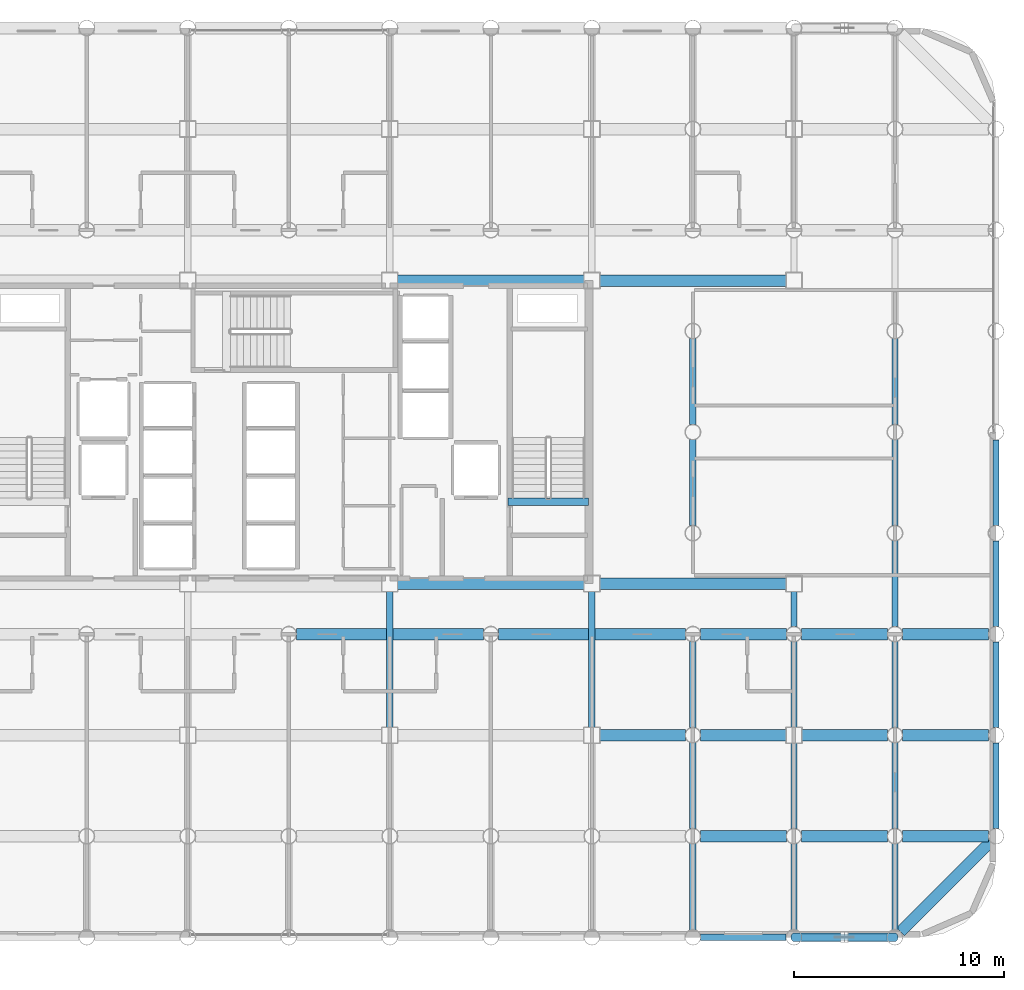
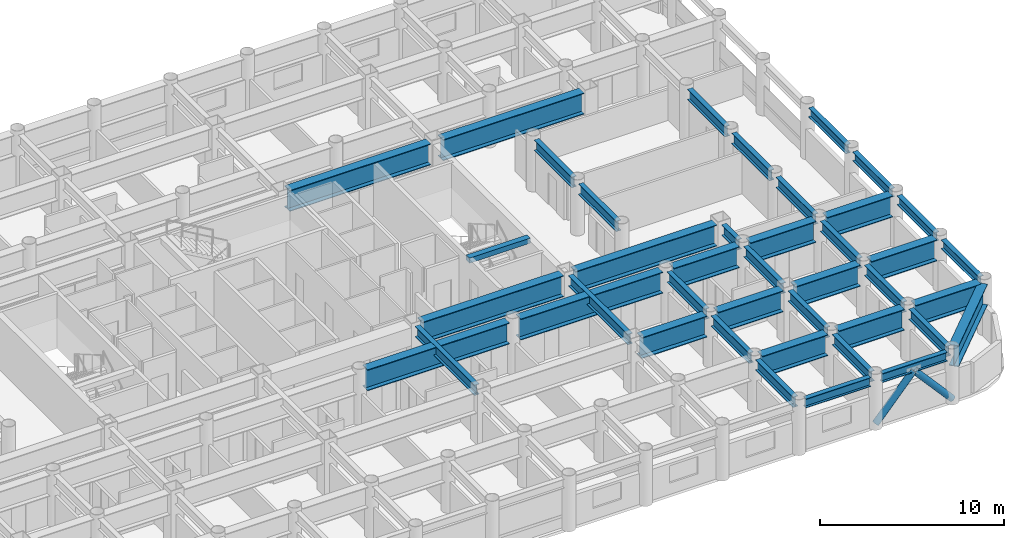
# One storey, part 7 of 21: 41 beams, 2 members.
"""IFC4 building model written with IfcOpenShell, lengths in metres."""

from ifc_helpers import new_model, si_unit, direction, frame, origin, origin_2d, place, context, subcontext, project, spatial, rectangle, hollow_circle, i_section, extrude, material, material_profile, profile_set, type_object, element, save


model = new_model("IFC4")

# Units and contexts
model_context = context("Model", 3, precision=1e-05, world=origin(), true_north=direction((0.0, 1.0)))
body_context = subcontext(model_context, "Body", "Model", "MODEL_VIEW")
ifc_project = project(units=[si_unit("LENGTHUNIT", "METRE"), si_unit("AREAUNIT", "SQUARE_METRE"), si_unit("VOLUMEUNIT", "CUBIC_METRE"), si_unit("PLANEANGLEUNIT", "RADIAN"), si_unit("MASSUNIT", "GRAM", prefix="KILO")], contexts=[model_context])

# Site, building, storey
site_placement = place(None, origin())
site = spatial("IfcSite", under=ifc_project, at=site_placement, CompositionType="ELEMENT")
building_placement = place(site_placement, origin())
building = spatial("IfcBuilding", under=site, at=building_placement, Name="Kallvorn Hotel Tower", CompositionType="ELEMENT")
storey_placement = place(building_placement, frame((0.0, 0.0, 85.5)))
storey = spatial("IfcBuildingStorey", under=building, at=storey_placement, Name="L20", CompositionType="ELEMENT", Elevation=85.5)

# Beams
ifc_material_1 = material(Name="Structural steel S355JR", Category="steel")
ifc_material_profile_1 = material_profile(ifc_material_1, i_section(OverallWidth=0.300048828125, OverallDepth=0.60009765625, WebThickness=0.015380859375, FlangeThickness=0.030029296875, at=origin_2d()), Name="HE 600 B")
ifc_profile_set_1 = profile_set([ifc_material_profile_1], Name="Structural steel S355JR")
beam_type_1 = type_object("IfcBeamType", Name="BM_HE600B", PredefinedType="SPANDREL", material=ifc_profile_set_1)
for number, where, z_axis, x_axis, name in (
    (1, (19.571044921875, -24.0, 3.14990234375), (1.0, 0.0, 0.0), (0.0, 1.0, 0.0), "L21 Perimeter Spandrel 160"),
    (2, (24.37109375, -24.0, 3.14990234375), (1.0, 0.0, 0.0), (0.0, 1.0, 0.0), "L21 Perimeter Spandrel 161"),
):
    element("IfcBeam", number, at=place(storey_placement, frame(where, z_axis=z_axis, x_axis=x_axis)), inside=storey, type_object=beam_type_1, Name=name, PredefinedType="SPANDREL", context=body_context, shape_type="SweptSolid", body=[
        extrude(i_section(OverallWidth=0.300048828125, OverallDepth=0.60009765625, WebThickness=0.015380859375, FlangeThickness=0.030029296875, at=origin_2d()), origin(), (0.0, 0.0, 1.0), 4.057861328125),
    ])
for number, where, z_axis, x_axis, name in (
    (3, (33.60009765625, -18.8291015625, 3.14990234375), (0.0, 1.0, 0.0), (-1.0, 0.0, 0.0), "L21 Perimeter Spandrel 182"),
    (4, (33.60009765625, -14.029052734375, 3.14990234375), (0.0, 1.0, 0.0), (-1.0, 0.0, 0.0), "L21 Perimeter Spandrel 183"),
    (5, (33.60009765625, -9.22900390625, 3.14990234375), (0.0, 1.0, 0.0), (-1.0, 0.0, 0.0), "L21 Perimeter Spandrel 184"),
):
    element("IfcBeam", number, at=place(storey_placement, frame(where, z_axis=z_axis, x_axis=x_axis)), inside=storey, type_object=beam_type_1, Name=name, PredefinedType="SPANDREL", context=body_context, shape_type="SweptSolid", body=[
        extrude(i_section(OverallWidth=0.300048828125, OverallDepth=0.60009765625, WebThickness=0.015380859375, FlangeThickness=0.030029296875, at=origin_2d()), origin(), (0.0, 0.0, 1.0), 4.05810546875),
    ])
beam_1_placement = place(storey_placement, frame((33.60009765625, -4.428955078125, 3.14990234375), z_axis=(0.0, 1.0, 0.0), x_axis=(-1.0, 0.0, 0.0)))
element("IfcBeam", 6, at=beam_1_placement, inside=storey, type_object=beam_type_1, Name="L21 Perimeter Spandrel 185", PredefinedType="SPANDREL", context=body_context, shape_type="SweptSolid", body=[
    extrude(i_section(OverallWidth=0.300048828125, OverallDepth=0.60009765625, WebThickness=0.015380859375, FlangeThickness=0.030029296875, at=origin_2d()), origin(), (0.0, 0.0, 1.0), 4.057861328125),
])
ifc_material_2 = material(Name="Structural steel S355JR", Category="steel")
ifc_material_profile_2 = material_profile(ifc_material_2, i_section(OverallWidth=0.300048828125, OverallDepth=0.699951171875, WebThickness=0.01708984375, FlangeThickness=0.031982421875, at=origin_2d()), Name="HE 700 B")
ifc_profile_set_2 = profile_set([ifc_material_profile_2], Name="Structural steel S355JR")
beam_type_2 = type_object("IfcBeamType", Name="BM_HE700B", PredefinedType="BEAM", material=ifc_profile_set_2)
for number, where, z_axis, x_axis, name in (
    (7, (4.800048828125, -14.02490234375, 3.10009765625), (0.0, 1.0, 0.0), (-1.0, 0.0, 0.0), "L21 Primary Y-Girder 115"),
    (8, (14.39990234375, -14.02490234375, 3.10009765625), (0.0, 1.0, 0.0), (-1.0, 0.0, 0.0), "L21 Primary Y-Girder 123"),
):
    element("IfcBeam", number, at=place(storey_placement, frame(where, z_axis=z_axis, x_axis=x_axis)), inside=storey, type_object=beam_type_2, Name=name, PredefinedType="BEAM", context=body_context, shape_type="SweptSolid", body=[
        extrude(i_section(OverallWidth=0.300048828125, OverallDepth=0.699951171875, WebThickness=0.01708984375, FlangeThickness=0.031982421875, at=origin_2d()), origin(), (0.0, 0.0, 1.0), 6.449951171875),
    ])
beam_2_placement = place(storey_placement, frame((19.199951171875, -23.64404296875, 3.10009765625), z_axis=(0.0, 1.0, 0.0), x_axis=(-1.0, 0.0, 0.0)))
element("IfcBeam", 9, at=beam_2_placement, inside=storey, type_object=beam_type_2, Name="L21 Primary Y-Girder 126", PredefinedType="BEAM", context=body_context, shape_type="SweptSolid", body=[
    extrude(i_section(OverallWidth=0.300048828125, OverallDepth=0.699951171875, WebThickness=0.01708984375, FlangeThickness=0.031982421875, at=origin_2d()), origin(), (0.0, 0.0, 1.0), 4.088134765625),
])
for number, where, z_axis, x_axis, name in (
    (10, (19.199951171875, -18.843994140625, 3.10009765625), (0.0, 1.0, 0.0), (-1.0, 0.0, 0.0), "L21 Primary Y-Girder 127"),
    (11, (19.199951171875, -14.0439453125, 3.10009765625), (0.0, 1.0, 0.0), (-1.0, 0.0, 0.0), "L21 Primary Y-Girder 128"),
):
    element("IfcBeam", number, at=place(storey_placement, frame(where, z_axis=z_axis, x_axis=x_axis)), inside=storey, type_object=beam_type_2, Name=name, PredefinedType="BEAM", context=body_context, shape_type="SweptSolid", body=[
        extrude(i_section(OverallWidth=0.300048828125, OverallDepth=0.699951171875, WebThickness=0.01708984375, FlangeThickness=0.031982421875, at=origin_2d()), origin(), (0.0, 0.0, 1.0), 4.087890625),
    ])
for number, where, z_axis, x_axis, name in (
    (12, (19.199951171875, -4.444091796875, 3.10009765625), (0.0, 1.0, 0.0), (-1.0, 0.0, 0.0), "L21 Primary Y-Girder 130"),
    (13, (19.199951171875, 0.35595703125, 3.10009765625), (0.0, 1.0, 0.0), (-1.0, 0.0, 0.0), "L21 Primary Y-Girder 131"),
    (14, (24.0, -23.64404296875, 3.10009765625), (0.0, 1.0, 0.0), (-1.0, 0.0, 0.0), "L21 Primary Y-Girder 135"),
):
    element("IfcBeam", number, at=place(storey_placement, frame(where, z_axis=z_axis, x_axis=x_axis)), inside=storey, type_object=beam_type_2, Name=name, PredefinedType="BEAM", context=body_context, shape_type="SweptSolid", body=[
        extrude(i_section(OverallWidth=0.300048828125, OverallDepth=0.699951171875, WebThickness=0.01708984375, FlangeThickness=0.031982421875, at=origin_2d()), origin(), (0.0, 0.0, 1.0), 4.088134765625),
    ])
beam_3_placement = place(storey_placement, frame((24.0, -18.843994140625, 3.10009765625), z_axis=(0.0, 1.0, 0.0), x_axis=(-1.0, 0.0, 0.0)))
element("IfcBeam", 15, at=beam_3_placement, inside=storey, type_object=beam_type_2, Name="L21 Primary Y-Girder 136", PredefinedType="BEAM", context=body_context, shape_type="SweptSolid", body=[
    extrude(i_section(OverallWidth=0.300048828125, OverallDepth=0.699951171875, WebThickness=0.01708984375, FlangeThickness=0.031982421875, at=origin_2d()), origin(), (0.0, 0.0, 1.0), 4.069091796875),
])
beam_4_placement = place(storey_placement, frame((24.0, -14.02490234375, 3.10009765625), z_axis=(0.0, 1.0, 0.0), x_axis=(-1.0, 0.0, 0.0)))
element("IfcBeam", 16, at=beam_4_placement, inside=storey, type_object=beam_type_2, Name="L21 Primary Y-Girder 137", PredefinedType="BEAM", context=body_context, shape_type="SweptSolid", body=[
    extrude(i_section(OverallWidth=0.300048828125, OverallDepth=0.699951171875, WebThickness=0.01708984375, FlangeThickness=0.031982421875, at=origin_2d()), origin(), (0.0, 0.0, 1.0), 4.06884765625),
])
beam_5_placement = place(storey_placement, frame((24.0, -9.243896484375, 3.10009765625), z_axis=(0.0, 1.0, 0.0), x_axis=(-1.0, 0.0, 0.0)))
element("IfcBeam", 17, at=beam_5_placement, inside=storey, type_object=beam_type_2, Name="L21 Primary Y-Girder 138", PredefinedType="BEAM", context=body_context, shape_type="SweptSolid", body=[
    extrude(i_section(OverallWidth=0.300048828125, OverallDepth=0.699951171875, WebThickness=0.01708984375, FlangeThickness=0.031982421875, at=origin_2d()), origin(), (0.0, 0.0, 1.0), 1.6689453125),
])
beam_6_placement = place(storey_placement, frame((28.800048828125, -23.64404296875, 3.10009765625), z_axis=(0.0, 1.0, 0.0), x_axis=(-1.0, 0.0, 0.0)))
element("IfcBeam", 18, at=beam_6_placement, inside=storey, type_object=beam_type_2, Name="L21 Primary Y-Girder 142", PredefinedType="BEAM", context=body_context, shape_type="SweptSolid", body=[
    extrude(i_section(OverallWidth=0.300048828125, OverallDepth=0.699951171875, WebThickness=0.01708984375, FlangeThickness=0.031982421875, at=origin_2d()), origin(), (0.0, 0.0, 1.0), 4.088134765625),
])
for number, where, z_axis, x_axis, name in (
    (19, (28.800048828125, -18.843994140625, 3.10009765625), (0.0, 1.0, 0.0), (-1.0, 0.0, 0.0), "L21 Primary Y-Girder 143"),
    (20, (28.800048828125, -14.0439453125, 3.10009765625), (0.0, 1.0, 0.0), (-1.0, 0.0, 0.0), "L21 Primary Y-Girder 144"),
    (21, (28.800048828125, -9.243896484375, 3.10009765625), (0.0, 1.0, 0.0), (-1.0, 0.0, 0.0), "L21 Primary Y-Girder 145"),
):
    element("IfcBeam", number, at=place(storey_placement, frame(where, z_axis=z_axis, x_axis=x_axis)), inside=storey, type_object=beam_type_2, Name=name, PredefinedType="BEAM", context=body_context, shape_type="SweptSolid", body=[
        extrude(i_section(OverallWidth=0.300048828125, OverallDepth=0.699951171875, WebThickness=0.01708984375, FlangeThickness=0.031982421875, at=origin_2d()), origin(), (0.0, 0.0, 1.0), 4.087890625),
    ])
for number, where, z_axis, x_axis, name in (
    (22, (28.800048828125, -4.444091796875, 3.10009765625), (0.0, 1.0, 0.0), (-1.0, 0.0, 0.0), "L21 Primary Y-Girder 146"),
    (23, (28.800048828125, 0.35595703125, 3.10009765625), (0.0, 1.0, 0.0), (-1.0, 0.0, 0.0), "L21 Primary Y-Girder 147"),
):
    element("IfcBeam", number, at=place(storey_placement, frame(where, z_axis=z_axis, x_axis=x_axis)), inside=storey, type_object=beam_type_2, Name=name, PredefinedType="BEAM", context=body_context, shape_type="SweptSolid", body=[
        extrude(i_section(OverallWidth=0.300048828125, OverallDepth=0.699951171875, WebThickness=0.01708984375, FlangeThickness=0.031982421875, at=origin_2d()), origin(), (0.0, 0.0, 1.0), 4.088134765625),
    ])
ifc_material_3 = material(Name="Structural steel S355JR", Category="steel")
ifc_material_profile_3 = material_profile(ifc_material_3, i_section(OverallWidth=0.550048828125, OverallDepth=1.39990234375, WebThickness=0.02490234375, FlangeThickness=0.044921875, at=origin_2d()), Name="PG 1400x550x25x45")
ifc_profile_set_3 = profile_set([ifc_material_profile_3], Name="Structural steel S355JR")
beam_type_3 = type_object("IfcBeamType", Name="BM_PG_1400", PredefinedType="BEAM", material=ifc_profile_set_3)
for number, where, z_axis, x_axis, name in (
    (24, (19.555908203125, -19.199951171875, 2.75), (1.0, 0.0, 0.0), (0.0, 1.0, 0.0), "L21 Primary X-Girder 11"),
    (25, (24.35595703125, -19.199951171875, 2.75), (1.0, 0.0, 0.0), (0.0, 1.0, 0.0), "L21 Primary X-Girder 12"),
):
    element("IfcBeam", number, at=place(storey_placement, frame(where, z_axis=z_axis, x_axis=x_axis)), inside=storey, type_object=beam_type_3, Name=name, PredefinedType="BEAM", context=body_context, shape_type="SweptSolid", body=[
        extrude(i_section(OverallWidth=0.550048828125, OverallDepth=1.39990234375, WebThickness=0.02490234375, FlangeThickness=0.044921875, at=origin_2d()), origin(), (0.0, 0.0, 1.0), 4.088134765625),
    ])
beam_7_placement = place(storey_placement, frame((29.156005859375, -19.199951171875, 2.75), z_axis=(1.0, 0.0, 0.0), x_axis=(0.0, 1.0, 0.0)))
element("IfcBeam", 26, at=beam_7_placement, inside=storey, type_object=beam_type_3, Name="L21 Primary X-Girder 13", PredefinedType="BEAM", context=body_context, shape_type="SweptSolid", body=[
    extrude(i_section(OverallWidth=0.550048828125, OverallDepth=1.39990234375, WebThickness=0.02490234375, FlangeThickness=0.044921875, at=origin_2d()), origin(), (0.0, 0.0, 1.0), 4.087890625),
])
for number, where, z_axis, x_axis, name in (
    (27, (14.77490234375, -14.39990234375, 2.75), (1.0, 0.0, 0.0), (0.0, 1.0, 0.0), "L21 Primary X-Girder 20"),
    (28, (19.555908203125, -14.39990234375, 2.75), (1.0, 0.0, 0.0), (0.0, 1.0, 0.0), "L21 Primary X-Girder 21"),
    (29, (24.375, -14.39990234375, 2.75), (1.0, 0.0, 0.0), (0.0, 1.0, 0.0), "L21 Primary X-Girder 22"),
):
    element("IfcBeam", number, at=place(storey_placement, frame(where, z_axis=z_axis, x_axis=x_axis)), inside=storey, type_object=beam_type_3, Name=name, PredefinedType="BEAM", context=body_context, shape_type="SweptSolid", body=[
        extrude(i_section(OverallWidth=0.550048828125, OverallDepth=1.39990234375, WebThickness=0.02490234375, FlangeThickness=0.044921875, at=origin_2d()), origin(), (0.0, 0.0, 1.0), 4.069091796875),
    ])
beam_8_placement = place(storey_placement, frame((29.156005859375, -14.39990234375, 2.75), z_axis=(1.0, 0.0, 0.0), x_axis=(0.0, 1.0, 0.0)))
element("IfcBeam", 30, at=beam_8_placement, inside=storey, type_object=beam_type_3, Name="L21 Primary X-Girder 23", PredefinedType="BEAM", context=body_context, shape_type="SweptSolid", body=[
    extrude(i_section(OverallWidth=0.550048828125, OverallDepth=1.39990234375, WebThickness=0.02490234375, FlangeThickness=0.044921875, at=origin_2d()), origin(), (0.0, 0.0, 1.0), 4.087890625),
])
for number, where, z_axis, x_axis, name in (
    (31, (0.35595703125, -9.60009765625, 2.75), (1.0, 0.0, 0.0), (0.0, 1.0, 0.0), "L21 Primary X-Girder 28"),
    (32, (9.9560546875, -9.60009765625, 2.75), (1.0, 0.0, 0.0), (0.0, 1.0, 0.0), "L21 Primary X-Girder 29"),
):
    element("IfcBeam", number, at=place(storey_placement, frame(where, z_axis=z_axis, x_axis=x_axis)), inside=storey, type_object=beam_type_3, Name=name, PredefinedType="BEAM", context=body_context, shape_type="SweptSolid", body=[
        extrude(i_section(OverallWidth=0.550048828125, OverallDepth=1.39990234375, WebThickness=0.02490234375, FlangeThickness=0.044921875, at=origin_2d()), origin(), (0.0, 0.0, 1.0), 8.887939453125),
    ])
for number, where, z_axis, x_axis, name in (
    (33, (19.555908203125, -9.60009765625, 2.75), (1.0, 0.0, 0.0), (0.0, 1.0, 0.0), "L21 Primary X-Girder 30"),
    (34, (24.35595703125, -9.60009765625, 2.75), (1.0, 0.0, 0.0), (0.0, 1.0, 0.0), "L21 Primary X-Girder 31"),
):
    element("IfcBeam", number, at=place(storey_placement, frame(where, z_axis=z_axis, x_axis=x_axis)), inside=storey, type_object=beam_type_3, Name=name, PredefinedType="BEAM", context=body_context, shape_type="SweptSolid", body=[
        extrude(i_section(OverallWidth=0.550048828125, OverallDepth=1.39990234375, WebThickness=0.02490234375, FlangeThickness=0.044921875, at=origin_2d()), origin(), (0.0, 0.0, 1.0), 4.088134765625),
    ])
beam_9_placement = place(storey_placement, frame((29.156005859375, -9.60009765625, 2.75), z_axis=(1.0, 0.0, 0.0), x_axis=(0.0, 1.0, 0.0)))
element("IfcBeam", 35, at=beam_9_placement, inside=storey, type_object=beam_type_3, Name="L21 Primary X-Girder 32", PredefinedType="BEAM", context=body_context, shape_type="SweptSolid", body=[
    extrude(i_section(OverallWidth=0.550048828125, OverallDepth=1.39990234375, WebThickness=0.02490234375, FlangeThickness=0.044921875, at=origin_2d()), origin(), (0.0, 0.0, 1.0), 4.087890625),
])
beam_10_placement = place(storey_placement, frame((5.175048828125, -7.199951171875, 2.75), z_axis=(1.0, 0.0, 0.0), x_axis=(0.0, 1.0, 0.0)))
element("IfcBeam", 36, at=beam_10_placement, inside=storey, type_object=beam_type_3, Name="L21 Primary X-Girder 35", PredefinedType="BEAM", context=body_context, shape_type="SweptSolid", body=[
    extrude(i_section(OverallWidth=0.550048828125, OverallDepth=1.39990234375, WebThickness=0.02490234375, FlangeThickness=0.044921875, at=origin_2d()), origin(), (0.0, 0.0, 1.0), 8.849853515625),
])
beam_11_placement = place(storey_placement, frame((14.77490234375, -7.199951171875, 2.75), z_axis=(1.0, 0.0, 0.0), x_axis=(0.0, 1.0, 0.0)))
element("IfcBeam", 37, at=beam_11_placement, inside=storey, type_object=beam_type_3, Name="L21 Primary X-Girder 36", PredefinedType="BEAM", context=body_context, shape_type="SweptSolid", body=[
    extrude(i_section(OverallWidth=0.550048828125, OverallDepth=1.39990234375, WebThickness=0.02490234375, FlangeThickness=0.044921875, at=origin_2d()), origin(), (0.0, 0.0, 1.0), 8.85009765625),
])
beam_12_placement = place(storey_placement, frame((5.175048828125, 7.199951171875, 2.75), z_axis=(1.0, 0.0, 0.0), x_axis=(0.0, 1.0, 0.0)))
element("IfcBeam", 38, at=beam_12_placement, inside=storey, type_object=beam_type_3, Name="L21 Primary X-Girder 40", PredefinedType="BEAM", context=body_context, shape_type="SweptSolid", body=[
    extrude(i_section(OverallWidth=0.550048828125, OverallDepth=1.39990234375, WebThickness=0.02490234375, FlangeThickness=0.044921875, at=origin_2d()), origin(), (0.0, 0.0, 1.0), 8.849853515625),
])
beam_13_placement = place(storey_placement, frame((14.77490234375, 7.199951171875, 2.75), z_axis=(1.0, 0.0, 0.0), x_axis=(0.0, 1.0, 0.0)))
element("IfcBeam", 39, at=beam_13_placement, inside=storey, type_object=beam_type_3, Name="L21 Primary X-Girder 41", PredefinedType="BEAM", context=body_context, shape_type="SweptSolid", body=[
    extrude(i_section(OverallWidth=0.550048828125, OverallDepth=1.39990234375, WebThickness=0.02490234375, FlangeThickness=0.044921875, at=origin_2d()), origin(), (0.0, 0.0, 1.0), 8.85009765625),
])
beam_14_placement = place(storey_placement, frame((33.337646484375, -19.46240234375, 2.75), z_axis=(-0.707106781187, -0.707106781187, 0.0), x_axis=(0.707106781187, -0.707106781187, 0.0)))
element("IfcBeam", 40, at=beam_14_placement, inside=storey, type_object=beam_type_3, Name="L21 Rounded Corner Tie Beam 190", PredefinedType="BEAM", context=body_context, shape_type="SweptSolid", body=[
    extrude(i_section(OverallWidth=0.550048828125, OverallDepth=1.39990234375, WebThickness=0.02490234375, FlangeThickness=0.044921875, at=origin_2d()), origin(), (0.0, 0.0, 1.0), 6.04638671875),
])
ifc_material_4 = material(Name="Concrete C50/60", Category="concrete")
ifc_material_profile_4 = material_profile(ifc_material_4, rectangle(XDim=0.360107421875, YDim=0.340087890625, at=origin_2d()), Name="RC 360x340")
ifc_profile_set_4 = profile_set([ifc_material_profile_4], Name="Concrete C50/60")
beam_type_4 = type_object("IfcBeamType", Name="BM_RC_400x360", PredefinedType="BEAM", material=ifc_profile_set_4)
beam_15_placement = place(storey_placement, frame((14.239990234375, -3.31005859375, 3.280029296875), z_axis=(-1.0, 0.0, 0.0), x_axis=(0.0, -1.0, 0.0)))
element("IfcBeam", 41, at=beam_15_placement, inside=storey, type_object=beam_type_4, Name="L21 Stair ST2 Arrival Trimmer Beam", PredefinedType="BEAM", context=body_context, shape_type="SweptSolid", body=[
    extrude(rectangle(XDim=0.360107421875, YDim=0.340087890625, at=origin_2d()), origin(), (0.0, 0.0, 1.0), 3.820068359375),
])

# Members
ifc_material_5 = material(Name="Structural steel S355J2H", Category="steel")
ifc_material_profile_5 = material_profile(ifc_material_5, hollow_circle(Radius=0.203125, WallThickness=0.01611328125, at=origin_2d()), Name="CHS 406.4x16")
ifc_profile_set_5 = profile_set([ifc_material_profile_5], Name="Structural steel S355J2H")
member_type = type_object("IfcMemberType", Name="MBR_EXO_CHS406", PredefinedType="BRACE", material=ifc_profile_set_5)
for number, where, z_axis, x_axis, name in (
    (42, (24.01318359375, -24.0, 0.195068359375), (0.663016682627, 0.0, 0.748604620983), (0.0, 1.0, 0.0), "L20 Exoskeleton K-Brace S2A"),
    (43, (28.78662109375, -24.0, 0.195068359375), (-0.662978461517, 0.0, 0.748638470535), (0.0, -1.0, 0.0), "L20 Exoskeleton K-Brace S2B"),
):
    element("IfcMember", number, at=place(storey_placement, frame(where, z_axis=z_axis, x_axis=x_axis)), inside=storey, type_object=member_type, Name=name, PredefinedType="BRACE", context=body_context, shape_type="SweptSolid", body=[
        extrude(hollow_circle(Radius=0.203125, WallThickness=0.01611328125, at=origin_2d()), origin(), (0.0, 0.0, 1.0), 3.579833984375),
    ])

save(model, "model.ifc")
